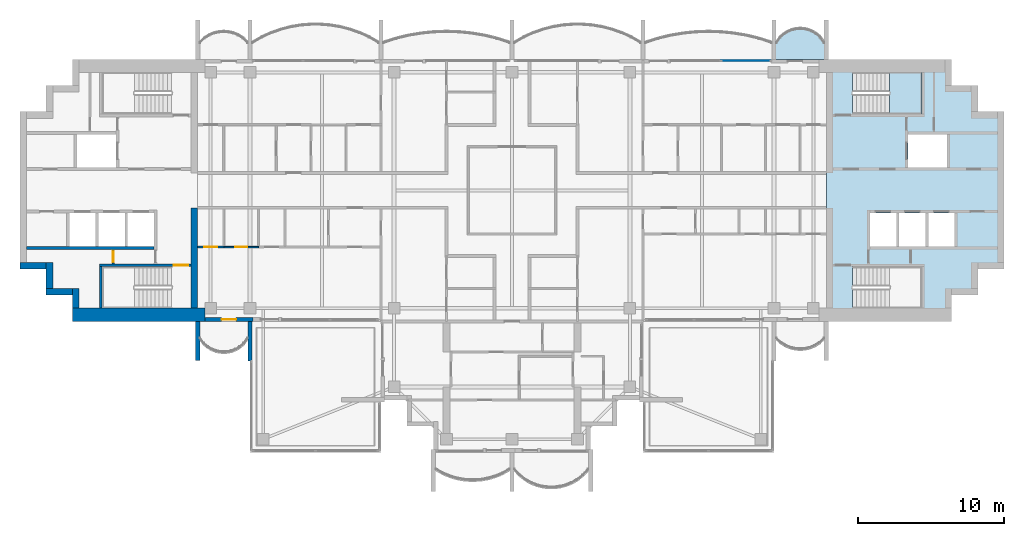
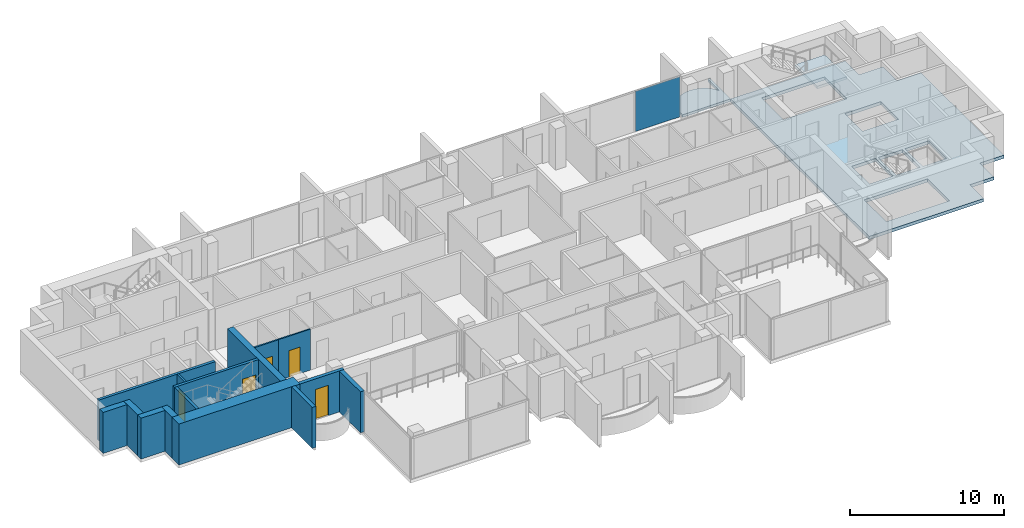
# One storey, part 6 of 16: 15 walls, 5 doors, 3 slabs, 1 plate, 5 openings, 2 elements without a shape of their own.
"""IFC4 building model written with IfcOpenShell, lengths in metres."""

from ifc_helpers import new_model, si_unit, direction, frame, frame_2d, origin, origin_2d, place, context, subcontext, project, spatial, polyline, rectangle, outline, extrude, material, layer, layer_set, type_object, element, fill, aggregate, save


model = new_model("IFC4")

# Units and contexts
model_context = context("Model", 3, precision=1e-05, world=origin(), true_north=direction((0.0, 1.0)))
body_context = subcontext(model_context, "Body", "Model", "MODEL_VIEW")
ifc_project = project(units=[si_unit("LENGTHUNIT", "METRE"), si_unit("AREAUNIT", "SQUARE_METRE"), si_unit("VOLUMEUNIT", "CUBIC_METRE"), si_unit("PLANEANGLEUNIT", "RADIAN"), si_unit("MASSUNIT", "GRAM", prefix="KILO")], contexts=[model_context])

# Site, building, storey
site_placement = place(None, origin())
site = spatial("IfcSite", under=ifc_project, at=site_placement, CompositionType="ELEMENT")
building_placement = place(site_placement, origin())
building = spatial("IfcBuilding", under=site, at=building_placement, Name="Perihelion Cross Residences", CompositionType="ELEMENT")
storey_placement = place(building_placement, frame((0.0, 0.0, 236.0)))
storey = spatial("IfcBuildingStorey", under=building, at=storey_placement, Name="L59", CompositionType="ELEMENT", Elevation=236.0)

# Slab
ifc_material_1 = material(Name="Concrete C40/50", Category="concrete")
ifc_layer_1 = layer(ifc_material_1, 0.199951171875)
ifc_layer_set_1 = layer_set([ifc_layer_1], Name="Balcony slab 200")
slab_type_1 = type_object("IfcSlabType", Name="Balcony slab 200", PredefinedType="FLOOR", material=ifc_layer_set_1)
slab_1_placement = place(storey_placement, frame((0.0, 0.0, -0.199951171875)))
element("IfcSlab", 1, at=slab_1_placement, inside=storey, type_object=slab_type_1, Name="Slab BK1 L59 east side north bay 1 balcony", PredefinedType="FLOOR", context=body_context, shape_type="SweptSolid", body=[
    extrude(outline(polyline([(21.60009765625, 9.0), (18.0, 9.0), (18.0, 11.699951171875), (18.14990234375, 11.699951171875), (18.14990234375, 10.199951171875), (18.425048828125, 10.568603515625), (18.699951171875, 10.806396484375), (18.97509765625, 10.96875), (19.25, 11.07568359375), (19.52490234375, 11.136962890625), (19.800048828125, 11.156982421875), (20.074951171875, 11.136962890625), (20.35009765625, 11.07568359375), (20.625, 10.96875), (20.89990234375, 10.806396484375), (21.175048828125, 10.568603515625), (21.449951171875, 10.199951171875), (21.449951171875, 11.699951171875), (21.60009765625, 11.699951171875), (21.60009765625, 9.0)])), origin(), (0.0, 0.0, 1.0), 0.199951171875),
])

# Curtain wall, plate
ifc_material_2 = material(Name="Bronze anodised aluminium, tinted glazing", Category="aluminium")
curtain_wall_type = type_object("IfcCurtainWallType", Name="CW1", PredefinedType="NOTDEFINED", material=ifc_material_2)
curtain_wall_placement = place(storey_placement, origin())
curtain_wall = element("IfcCurtainWall", 2, at=curtain_wall_placement, inside=storey, type_object=curtain_wall_type, Name="Curtain wall CW1 L59 east side north bay 2", PredefinedType="NOTDEFINED")
ifc_material_3 = material(Name="Tinted laminated glass", Category="glass")
ifc_layer_2 = layer(ifc_material_3, 0.028076171875)
ifc_layer_set_2 = layer_set([ifc_layer_2], Name="CW1 panel")
plate_type = type_object("IfcPlateType", Name="CW1 panel", PredefinedType="CURTAIN_PANEL", material=ifc_layer_set_2)
plate_placement = place(storey_placement, frame((16.06005859375, 8.89990234375, 0.0), z_axis=(0.0, 0.0, 1.0), x_axis=(-1.0, 0.0, 0.0)))
plate = element("IfcPlate", 3, at=plate_placement, type_object=plate_type, Name="CW1 panel 1", PredefinedType="CURTAIN_PANEL", context=body_context, shape_type="SweptSolid", body=[
    extrude(rectangle(XDim=3.360107421875, YDim=0.028076171875, at=origin_2d()), origin(), (0.0, 0.0, 1.0), 3.18994140625),
])
aggregate(curtain_wall, [plate])

# Slab
ifc_material_4 = material(Name="Concrete C40/50", Category="concrete")
ifc_layer_3 = layer(ifc_material_4, 0.25)
ifc_layer_set_3 = layer_set([ifc_layer_3], Name="Core floor slab 250")
slab_type_2 = type_object("IfcSlabType", Name="Core floor slab 250", PredefinedType="FLOOR", material=ifc_layer_set_3)
slab_2_placement = place(storey_placement, frame((0.0, 0.0, -0.25)))
element("IfcSlab", 4, at=slab_2_placement, inside=storey, type_object=slab_type_2, Name="East core floor slab", PredefinedType="FLOOR", context=body_context, shape_type="SweptSolid", body=[
    extrude(outline(polyline([(30.199951171875, 7.199951171875), (32.0, 7.199951171875), (32.0, 5.39990234375), (33.800048828125, 5.39990234375), (33.800048828125, -5.39990234375), (32.0, -5.39990234375), (32.0, -7.199951171875), (30.199951171875, -7.199951171875), (30.199951171875, -9.0), (21.60009765625, -9.0), (21.60009765625, 9.0), (30.199951171875, 9.0), (30.199951171875, 7.199951171875)]), holes=[polyline([(28.14990234375, -8.10009765625), (28.14990234375, -5.25), (23.405029296875, -5.25), (23.405029296875, -8.10009765625), (28.14990234375, -8.10009765625)]), polyline([(24.60009765625, -1.550048828125), (24.60009765625, -3.85009765625), (26.39990234375, -3.85009765625), (26.39990234375, -1.550048828125), (24.60009765625, -1.550048828125)]), polyline([(26.60009765625, -1.550048828125), (26.60009765625, -3.85009765625), (28.39990234375, -3.85009765625), (28.39990234375, -1.550048828125), (26.60009765625, -1.550048828125)]), polyline([(28.60009765625, -3.85009765625), (30.39990234375, -3.85009765625), (30.39990234375, -1.550048828125), (28.60009765625, -1.550048828125), (28.60009765625, -3.85009765625)]), polyline([(27.199951171875, 3.85009765625), (27.199951171875, 1.550048828125), (29.89990234375, 1.550048828125), (29.89990234375, 3.85009765625), (27.199951171875, 3.85009765625)]), polyline([(23.405029296875, 5.25), (28.14990234375, 5.25), (28.14990234375, 8.10009765625), (23.405029296875, 8.10009765625), (23.405029296875, 5.25)])]), origin(), (0.0, 0.0, 1.0), 0.25),
])

# Stair, slab
ifc_material_5 = material(Name="Concrete C40/50", Category="concrete")
stair_type = type_object("IfcStairType", Name="Exit stair, half-turn", PredefinedType="HALF_TURN_STAIR", material=ifc_material_5)
stair_placement = place(storey_placement, origin())
stair = element("IfcStair", 5, at=stair_placement, inside=storey, type_object=stair_type, Name="L59 East core exit stair 1", PredefinedType="HALF_TURN_STAIR")
ifc_material_6 = material(Name="Concrete C40/50", Category="concrete")
ifc_layer_4 = layer(ifc_material_6, 0.199951171875)
ifc_layer_set_4 = layer_set([ifc_layer_4], Name="Exit stair landing 200")
slab_type_3 = type_object("IfcSlabType", Name="Exit stair landing 200", PredefinedType="LANDING", material=ifc_layer_set_4)
slab_3_placement = place(storey_placement, frame((0.0, 0.0, 1.550048828125)))
slab_3 = element("IfcSlab", 6, at=slab_3_placement, type_object=slab_type_3, Name="ST-E1 landing 1", PredefinedType="LANDING", context=body_context, shape_type="SweptSolid", body=[
    extrude(outline(polyline([(25.919921875, 5.25), (28.14990234375, 5.25), (28.14990234375, 8.10009765625), (25.919921875, 8.10009765625), (25.919921875, 5.25)])), origin(), (0.0, 0.0, 1.0), 0.199951171875),
])
aggregate(stair, [slab_3])

# Wall, opening, door
ifc_material_7 = material(Name="Concrete C30/37, bronze-clad", Category="concrete")
ifc_layer_5 = layer(ifc_material_7, 0.25)
ifc_layer_set_5 = layer_set([ifc_layer_5], Name="Bronze-clad pier wall 250")
wall_type_1 = type_object("IfcWallType", Name="Bronze-clad pier wall 250", PredefinedType="SOLIDWALL", material=ifc_layer_set_5)
wall_1_placement = place(storey_placement, frame((-21.10009765625, -8.875, 0.0), z_axis=(0.0, 0.0, 1.0), x_axis=(1.0, 0.0, 0.0)))
wall_1 = element("IfcWall", 7, at=wall_1_placement, inside=storey, type_object=wall_type_1, Name="Wall FW1 L59 west side south bay 1 pier", PredefinedType="SOLIDWALL", context=body_context, shape_type="SweptSolid", body=[
    extrude(rectangle(XDim=3.300048828125, YDim=0.25, at=frame_2d((1.64990234375, 0.0))), origin(), (0.0, 0.0, 1.0), 3.25),
])
opening_1_placement = place(wall_1_placement, frame((1.14990234375, 0.0, 0.0)))
opening_1 = element("IfcOpeningElement", 8, at=opening_1_placement, cuts=wall_1, Name="Opening L59.E07", PredefinedType="OPENING", context=body_context, shape_type="SweptSolid", body=[
    extrude(rectangle(XDim=1.0, YDim=2.39990234375, at=frame_2d((0.5, 1.199951171875))), frame((0.0, 0.135009765625, 0.0), z_axis=(0.0, -1.0, 0.0), x_axis=(1.0, 0.0, 0.0)), (0.0, 0.0, 1.0), 0.27001953125),
])
ifc_material_8 = material(Name="Bronze anodised aluminium, glazed", Category="aluminium")
door_type_1 = type_object("IfcDoorType", Name="Balcony door 1000 x 2400", OperationType="NOTDEFINED", PredefinedType="DOOR", material=ifc_material_8)
door_1_placement = place(opening_1_placement, origin())
door_1 = element("IfcDoor", 9, at=door_1_placement, inside=storey, type_object=door_type_1, Name="Door L59.E07 west side south bay 1", OperationType="SINGLE_SWING_LEFT", OverallHeight=2.39990234375, OverallWidth=1.0, PredefinedType="DOOR", context=body_context, shape_type="SweptSolid", body=[
    extrude(rectangle(XDim=1.0, YDim=2.39990234375, at=frame_2d((0.5, 1.199951171875))), frame((0.0, 0.02490234375, 0.0), z_axis=(0.0, -1.0, 0.0), x_axis=(1.0, 0.0, 0.0)), (0.0, 0.0, 1.0), 0.050048828125),
])
fill(opening_1, door_1)

# Walls
ifc_material_9 = material(Name="Concrete C60/75", Category="concrete")
ifc_layer_6 = layer(ifc_material_9, 0.449951171875)
ifc_layer_set_6 = layer_set([ifc_layer_6], Name="Core wall, inner 450")
wall_type_2 = type_object("IfcWallType", Name="Core wall, inner 450", PredefinedType="SHEAR", material=ifc_layer_set_6)
wall_2_placement = place(storey_placement, frame((-21.824951171875, -8.10009765625, 0.0), z_axis=(0.0, 0.0, 1.0), x_axis=(0.0, 1.0, 0.0)))
element("IfcWall", 10, at=wall_2_placement, inside=storey, type_object=wall_type_2, Name="West core core wall, inner", PredefinedType="SHEAR", context=body_context, shape_type="SweptSolid", body=[
    extrude(rectangle(XDim=6.900146484375, YDim=0.449951171875, at=frame_2d((3.4501953125, 0.0))), origin(), (0.0, 0.0, 1.0), 3.25),
])
ifc_material_10 = material(Name="Concrete C60/75", Category="concrete")
ifc_layer_7 = layer(ifc_material_10, 0.449951171875)
ifc_layer_set_7 = layer_set([ifc_layer_7], Name="Core wall, outer 450")
wall_type_3 = type_object("IfcWallType", Name="Core wall, outer 450", PredefinedType="SHEAR", material=ifc_layer_set_7)
wall_3_placement = place(storey_placement, frame((-29.97509765625, -8.10009765625, 0.0), z_axis=(0.0, 0.0, 1.0), x_axis=(0.0, 1.0, 0.0)))
element("IfcWall", 11, at=wall_3_placement, inside=storey, type_object=wall_type_3, Name="West core core wall, outer", PredefinedType="SHEAR", context=body_context, shape_type="SweptSolid", body=[
    extrude(rectangle(XDim=1.35009765625, YDim=0.449951171875, at=frame_2d((0.675048828125, 0.0))), origin(), (0.0, 0.0, 1.0), 3.25),
])
for number, where, z_axis, x_axis, name in (
    (12, (-32.0, -6.97509765625, 0.0), (0.0, 0.0, 1.0), (1.0, 0.0, 0.0), "West core core wall, outer"),
    (13, (-31.77490234375, -6.75, 0.0), (0.0, 0.0, 1.0), (0.0, 1.0, 0.0), "West core core wall, outer"),
    (14, (-33.800048828125, -5.175048828125, 0.0), (0.0, 0.0, 1.0), (1.0, 0.0, 0.0), "West core core wall, outer"),
):
    element("IfcWall", number, at=place(storey_placement, frame(where, z_axis=z_axis, x_axis=x_axis)), inside=storey, type_object=wall_type_3, Name=name, PredefinedType="SHEAR", context=body_context, shape_type="SweptSolid", body=[
        extrude(rectangle(XDim=1.800048828125, YDim=0.449951171875, at=frame_2d((0.89990234375, 0.0))), origin(), (0.0, 0.0, 1.0), 3.25),
    ])
ifc_material_11 = material(Name="Concrete C60/75", Category="concrete")
ifc_layer_8 = layer(ifc_material_11, 0.89990234375)
ifc_layer_set_8 = layer_set([ifc_layer_8], Name="Core wall, outer 900")
wall_type_4 = type_object("IfcWallType", Name="Core wall, outer 900", PredefinedType="SHEAR", material=ifc_layer_set_8)
wall_4_placement = place(storey_placement, frame((-30.199951171875, -8.550048828125, 0.0), z_axis=(0.0, 0.0, 1.0), x_axis=(1.0, 0.0, 0.0)))
element("IfcWall", 15, at=wall_4_placement, inside=storey, type_object=wall_type_4, Name="West core core wall, outer", PredefinedType="SHEAR", context=body_context, shape_type="SweptSolid", body=[
    extrude(rectangle(XDim=9.099853515625, YDim=0.89990234375, at=frame_2d((4.5498046875, 0.0))), origin(), (0.0, 0.0, 1.0), 3.25),
])

# Wall, opening, door
ifc_material_12 = material(Name="Plasterboard partition")
ifc_layer_9 = layer(ifc_material_12, 0.1201171875)
ifc_layer_set_9 = layer_set([ifc_layer_9], Name="Partition wall 120")
wall_type_5 = type_object("IfcWallType", Name="Partition wall 120", PredefinedType="PARTITIONING", material=ifc_layer_set_9)
wall_5_placement = place(storey_placement, frame((-19.800048828125, -3.89990234375, 0.0), z_axis=(0.0, 0.0, 1.0), x_axis=(-1.0, 0.0, 0.0)))
wall_5 = element("IfcWall", 16, at=wall_5_placement, inside=storey, type_object=wall_type_5, Name="Partition L59 W061", PredefinedType="PARTITIONING", context=body_context, shape_type="SweptSolid", body=[
    extrude(rectangle(XDim=1.800048828125, YDim=0.1201171875, at=frame_2d((0.89990234375, 0.0))), origin(), (0.0, 0.0, 1.0), 3.25),
])
opening_2_placement = place(wall_5_placement, frame((0.449951171875, 0.0, 0.0)))
opening_2 = element("IfcOpeningElement", 17, at=opening_2_placement, cuts=wall_5, Name="Opening L59.A26", PredefinedType="OPENING", context=body_context, shape_type="SweptSolid", body=[
    extrude(rectangle(XDim=0.89990234375, YDim=2.10009765625, at=frame_2d((0.449951171875, 1.050048828125))), frame((0.0, 0.070068359375, 0.0), z_axis=(0.0, -1.0, 0.0), x_axis=(1.0, 0.0, 0.0)), (0.0, 0.0, 1.0), 0.14013671875),
])
ifc_material_13 = material(Name="Timber door leaf", Category="wood")
door_type_2 = type_object("IfcDoorType", Name="Interior room door 900 x 2100", OperationType="SINGLE_SWING_LEFT", PredefinedType="DOOR", material=ifc_material_13)
door_2_placement = place(opening_2_placement, origin())
door_2 = element("IfcDoor", 18, at=door_2_placement, inside=storey, type_object=door_type_2, Name="Door L59.A26", OperationType="SINGLE_SWING_LEFT", OverallHeight=2.10009765625, OverallWidth=0.89990234375, PredefinedType="DOOR", context=body_context, shape_type="SweptSolid", body=[
    extrude(rectangle(XDim=0.89990234375, YDim=2.10009765625, at=frame_2d((0.449951171875, 1.050048828125))), frame((0.0, 0.02490234375, 0.0), z_axis=(0.0, -1.0, 0.0), x_axis=(1.0, 0.0, 0.0)), (0.0, 0.0, 1.0), 0.050048828125),
])
fill(opening_2, door_2)

# Walls
ifc_material_14 = material(Name="Precast concrete C50/60", Category="concrete")
ifc_layer_10 = layer(ifc_material_14, 0.300048828125)
ifc_layer_set_10 = layer_set([ifc_layer_10], Name="Precast concrete C50/60 blade wall 300")
wall_type_6 = type_object("IfcWallType", Name="Precast concrete C50/60 blade wall 300", PredefinedType="SOLIDWALL", material=ifc_layer_set_10)
wall_6_placement = place(storey_placement, frame((-21.60009765625, -9.0, 0.0), z_axis=(0.0, 0.0, 1.0), x_axis=(0.0, -1.0, 0.0)))
element("IfcWall", 19, at=wall_6_placement, inside=storey, type_object=wall_type_6, Name="Wall BL1 L59 no. 3", PredefinedType="SOLIDWALL", context=body_context, shape_type="SweptSolid", body=[
    extrude(rectangle(XDim=2.699951171875, YDim=0.300048828125, at=frame_2d((1.35009765625, 0.0))), origin(), (0.0, 0.0, 1.0), 3.25),
])
wall_7_placement = place(storey_placement, frame((-18.0, -9.0, 0.0), z_axis=(0.0, 0.0, 1.0), x_axis=(0.0, -1.0, 0.0)))
element("IfcWall", 20, at=wall_7_placement, inside=storey, type_object=wall_type_6, Name="Wall BL1 L59 no. 1", PredefinedType="SOLIDWALL", context=body_context, shape_type="SweptSolid", body=[
    extrude(rectangle(XDim=2.739990234375, YDim=0.300048828125, at=frame_2d((1.3701171875, 0.0))), origin(), (0.0, 0.0, 1.0), 3.25),
])

# Wall, opening, door
ifc_material_15 = material(Name="Fire-rated board on steel stud", Category="steel")
ifc_layer_11 = layer(ifc_material_15, 0.14990234375)
ifc_layer_set_11 = layer_set([ifc_layer_11], Name="Riser wall 150")
wall_type_7 = type_object("IfcWallType", Name="Riser wall 150", PredefinedType="PARTITIONING", material=ifc_layer_set_11)
wall_8_placement = place(storey_placement, frame((-27.39990234375, -5.050048828125, 0.0), z_axis=(0.0, 0.0, 1.0), x_axis=(0.0, 1.0, 0.0)))
wall_8 = element("IfcWall", 21, at=wall_8_placement, inside=storey, type_object=wall_type_7, Name="West core riser wall", PredefinedType="PARTITIONING", context=body_context, shape_type="SweptSolid", body=[
    extrude(rectangle(XDim=1.0, YDim=0.14990234375, at=frame_2d((0.5, 0.0))), origin(), (0.0, 0.0, 1.0), 3.25),
])
opening_3_placement = place(wall_8_placement, frame((0.10009765625, 0.0, 0.0)))
opening_3 = element("IfcOpeningElement", 22, at=opening_3_placement, cuts=wall_8, Name="Opening L59.C25", PredefinedType="OPENING", context=body_context, shape_type="SweptSolid", body=[
    extrude(rectangle(XDim=0.800048828125, YDim=2.10009765625, at=frame_2d((0.39990234375, 1.050048828125))), frame((0.0, 0.0849609375, 0.0), z_axis=(0.0, -1.0, 0.0), x_axis=(1.0, 0.0, 0.0)), (0.0, 0.0, 1.0), 0.169921875),
])
ifc_material_16 = material(Name="Steel, powder coated", Category="steel")
door_type_3 = type_object("IfcDoorType", Name="Riser door 800", OperationType="SINGLE_SWING_LEFT", PredefinedType="DOOR", material=ifc_material_16)
door_3_placement = place(opening_3_placement, origin())
door_3 = element("IfcDoor", 23, at=door_3_placement, inside=storey, type_object=door_type_3, Name="West core riser door", OperationType="SINGLE_SWING_LEFT", OverallHeight=2.10009765625, OverallWidth=0.800048828125, PredefinedType="DOOR", context=body_context, shape_type="SweptSolid", body=[
    extrude(rectangle(XDim=0.800048828125, YDim=2.10009765625, at=frame_2d((0.39990234375, 1.050048828125))), frame((0.0, 0.02490234375, 0.0), z_axis=(0.0, -1.0, 0.0), x_axis=(1.0, 0.0, 0.0)), (0.0, 0.0, 1.0), 0.050048828125),
])
fill(opening_3, door_3)

# Wall
ifc_material_17 = material(Name="Concrete C50/60", Category="concrete")
ifc_layer_12 = layer(ifc_material_17, 0.199951171875)
ifc_layer_set_12 = layer_set([ifc_layer_12], Name="Shaft wall 200")
wall_type_8 = type_object("IfcWallType", Name="Shaft wall 200", PredefinedType="SOLIDWALL", material=ifc_layer_set_12)
wall_9_placement = place(storey_placement, frame((-33.35009765625, -3.949951171875, 0.0), z_axis=(0.0, 0.0, 1.0), x_axis=(1.0, 0.0, 0.0)))
element("IfcWall", 24, at=wall_9_placement, inside=storey, type_object=wall_type_8, Name="West core shaft wall", PredefinedType="SOLIDWALL", context=body_context, shape_type="SweptSolid", body=[
    extrude(rectangle(XDim=8.75, YDim=0.199951171875, at=frame_2d((4.375, 0.0))), origin(), (0.0, 0.0, 1.0), 3.25),
])

# Wall, opening, door
ifc_material_18 = material(Name="Concrete C50/60", Category="concrete")
ifc_layer_13 = layer(ifc_material_18, 0.199951171875)
ifc_layer_set_13 = layer_set([ifc_layer_13], Name="Stair wall 200")
wall_type_9 = type_object("IfcWallType", Name="Stair wall 200", PredefinedType="SOLIDWALL", material=ifc_layer_set_13)
wall_10_placement = place(storey_placement, frame((-28.35009765625, -5.14990234375, 0.0), z_axis=(0.0, 0.0, 1.0), x_axis=(1.0, 0.0, 0.0)))
wall_10 = element("IfcWall", 25, at=wall_10_placement, inside=storey, type_object=wall_type_9, Name="West core stair wall", PredefinedType="SOLIDWALL", context=body_context, shape_type="SweptSolid", body=[
    extrude(rectangle(XDim=6.300048828125, YDim=0.199951171875, at=frame_2d((3.14990234375, 0.0))), origin(), (0.0, 0.0, 1.0), 3.25),
])
opening_4_placement = place(wall_10_placement, frame((5.10009765625, 0.0, 0.0)))
opening_4 = element("IfcOpeningElement", 26, at=opening_4_placement, cuts=wall_10, Name="Opening L59.C19", PredefinedType="OPENING", context=body_context, shape_type="SweptSolid", body=[
    extrude(rectangle(XDim=1.0, YDim=2.10009765625, at=frame_2d((0.5, 1.050048828125))), frame((0.0, 0.10986328125, 0.0), z_axis=(0.0, -1.0, 0.0), x_axis=(1.0, 0.0, 0.0)), (0.0, 0.0, 1.0), 0.219970703125),
])
ifc_material_19 = material(Name="Steel, powder coated", Category="steel")
door_type_4 = type_object("IfcDoorType", Name="Stair door 1000", OperationType="SINGLE_SWING_LEFT", PredefinedType="DOOR", material=ifc_material_19)
door_4_placement = place(opening_4_placement, origin())
door_4 = element("IfcDoor", 27, at=door_4_placement, inside=storey, type_object=door_type_4, Name="West core stair door", OperationType="SINGLE_SWING_LEFT", OverallHeight=2.10009765625, OverallWidth=1.0, PredefinedType="DOOR", context=body_context, shape_type="SweptSolid", body=[
    extrude(rectangle(XDim=1.0, YDim=2.10009765625, at=frame_2d((0.5, 1.050048828125))), frame((0.0, 0.02490234375, 0.0), z_axis=(0.0, -1.0, 0.0), x_axis=(1.0, 0.0, 0.0)), (0.0, 0.0, 1.0), 0.050048828125),
])
fill(opening_4, door_4)

# Wall
wall_11_placement = place(storey_placement, frame((-28.25, -8.10009765625, 0.0), z_axis=(0.0, 0.0, 1.0), x_axis=(0.0, 1.0, 0.0)))
element("IfcWall", 28, at=wall_11_placement, inside=storey, type_object=wall_type_9, Name="West core stair wall", PredefinedType="SOLIDWALL", context=body_context, shape_type="SweptSolid", body=[
    extrude(rectangle(XDim=2.85009765625, YDim=0.199951171875, at=frame_2d((1.425048828125, 0.0))), origin(), (0.0, 0.0, 1.0), 3.25),
])

# Wall, opening, door
ifc_material_20 = material(Name="Plasterboard partition")
ifc_layer_14 = layer(ifc_material_20, 0.10009765625)
ifc_layer_set_14 = layer_set([ifc_layer_14], Name="Wet room wall 100")
wall_type_10 = type_object("IfcWallType", Name="Wet room wall 100", PredefinedType="PARTITIONING", material=ifc_layer_set_14)
wall_12_placement = place(storey_placement, frame((-17.39990234375, -3.89990234375, 0.0), z_axis=(0.0, 0.0, 1.0), x_axis=(-1.0, 0.0, 0.0)))
wall_12 = element("IfcWall", 29, at=wall_12_placement, inside=storey, type_object=wall_type_10, Name="Partition L59 W060", PredefinedType="PARTITIONING", context=body_context, shape_type="SweptSolid", body=[
    extrude(rectangle(XDim=2.400146484375, YDim=0.10009765625, at=frame_2d((1.2001953125, 0.0))), origin(), (0.0, 0.0, 1.0), 3.25),
])
opening_5_placement = place(wall_12_placement, frame((0.77490234375, 0.0, 0.0)))
opening_5 = element("IfcOpeningElement", 30, at=opening_5_placement, cuts=wall_12, Name="Opening L59.A25", PredefinedType="OPENING", context=body_context, shape_type="SweptSolid", body=[
    extrude(rectangle(XDim=0.85009765625, YDim=2.10009765625, at=frame_2d((0.425048828125, 1.050048828125))), frame((0.0, 0.06005859375, 0.0), z_axis=(0.0, -1.0, 0.0), x_axis=(1.0, 0.0, 0.0)), (0.0, 0.0, 1.0), 0.1201171875),
])
ifc_material_21 = material(Name="Timber door leaf", Category="wood")
door_type_5 = type_object("IfcDoorType", Name="Interior bathroom door 850 x 2100", OperationType="SINGLE_SWING_LEFT", PredefinedType="DOOR", material=ifc_material_21)
door_5_placement = place(opening_5_placement, origin())
door_5 = element("IfcDoor", 31, at=door_5_placement, inside=storey, type_object=door_type_5, Name="Door L59.A25", OperationType="SINGLE_SWING_LEFT", OverallHeight=2.10009765625, OverallWidth=0.85009765625, PredefinedType="DOOR", context=body_context, shape_type="SweptSolid", body=[
    extrude(rectangle(XDim=0.85009765625, YDim=2.10009765625, at=frame_2d((0.425048828125, 1.050048828125))), frame((0.0, 0.02490234375, 0.0), z_axis=(0.0, -1.0, 0.0), x_axis=(1.0, 0.0, 0.0)), (0.0, 0.0, 1.0), 0.050048828125),
])
fill(opening_5, door_5)

save(model, "model.ifc")
